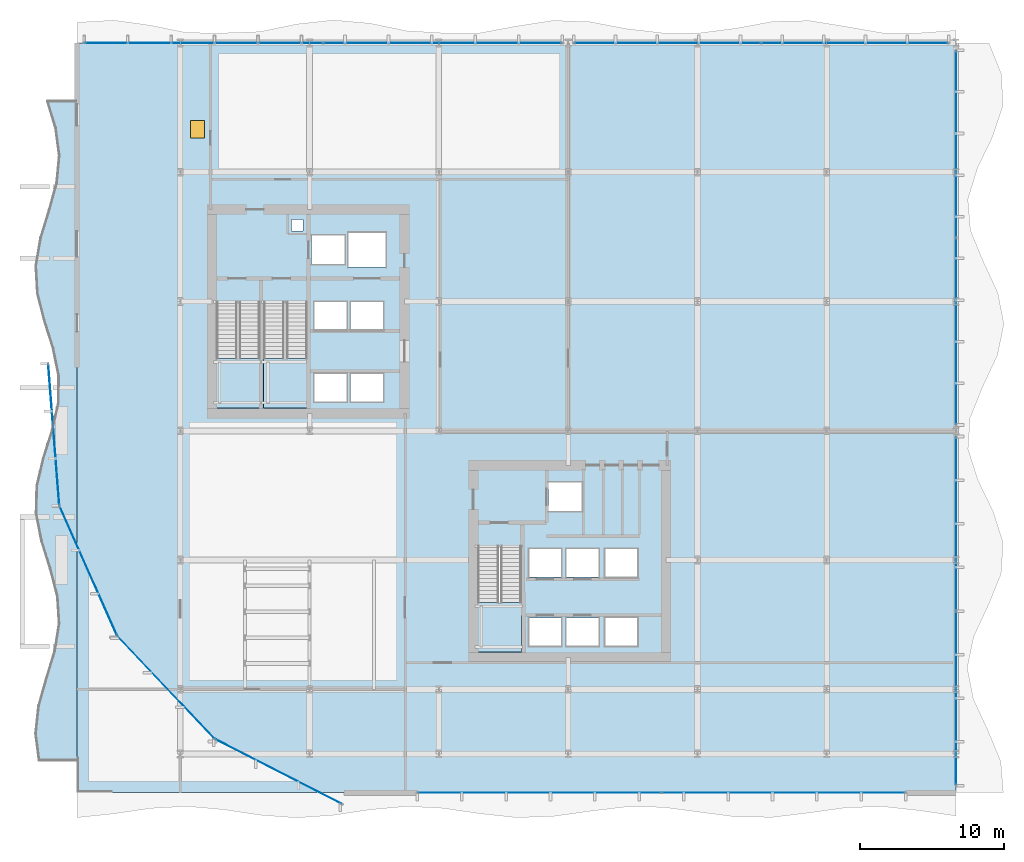
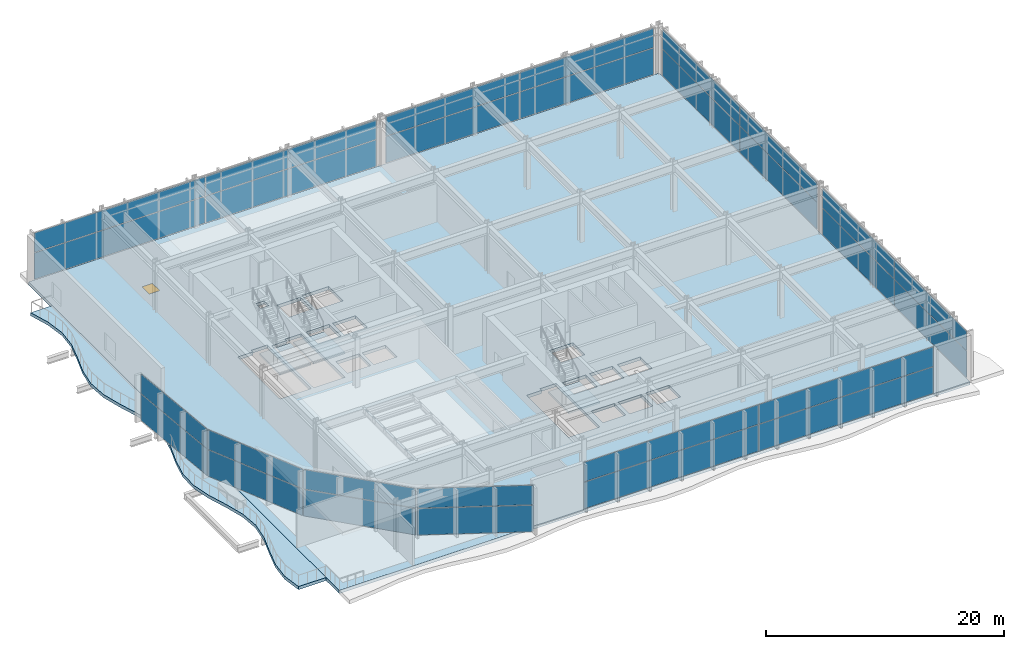
# One storey, part 21 of 33: 28 plates, 5 slabs, 1 door, 1 opening, 12 elements without a shape of their own.
"""IFC4 building model written with IfcOpenShell, lengths in metres."""

from ifc_helpers import new_model, si_unit, direction, frame, origin, origin_2d, place, context, subcontext, project, spatial, polyline, rectangle, outline, extrude, material, layer, layer_set, type_object, element, fill, aggregate, save


model = new_model("IFC4")

# Units and contexts
model_context = context("Model", 3, precision=1e-05, world=origin(), true_north=direction((0.0, 1.0)))
body_context = subcontext(model_context, "Body", "Model", "MODEL_VIEW")
ifc_project = project(units=[si_unit("LENGTHUNIT", "METRE"), si_unit("AREAUNIT", "SQUARE_METRE"), si_unit("VOLUMEUNIT", "CUBIC_METRE"), si_unit("PLANEANGLEUNIT", "RADIAN"), si_unit("MASSUNIT", "GRAM", prefix="KILO")], contexts=[model_context])

# Site, building, storey
site_placement = place(None, origin())
site = spatial("IfcSite", under=ifc_project, at=site_placement, CompositionType="ELEMENT")
building_placement = place(site_placement, origin())
building = spatial("IfcBuilding", under=site, at=building_placement, Name="Solvaryn Broadcast Tower", CompositionType="ELEMENT")
storey_placement = place(building_placement, frame((0.0, 0.0, 5.800048828125)))
storey = spatial("IfcBuildingStorey", under=building, at=storey_placement, Name="L01", CompositionType="ELEMENT", Elevation=5.800048828125)

# Curtain wall, plates
ifc_material_1 = material(Name="Aluminium and Terracotta Unitised Curtain Wall", Category="masonry")
ifc_layer_1 = layer(ifc_material_1, 0.219970703125)
ifc_layer_set_1 = layer_set([ifc_layer_1], Name="CW-SYS1-PODIUM")
curtain_wall_type = type_object("IfcCurtainWallType", Name="CW-SYS1-PODIUM", PredefinedType="NOTDEFINED", material=ifc_layer_set_1)
curtain_wall_1_placement = place(storey_placement, origin())
curtain_wall_1 = element("IfcCurtainWall", 1, at=curtain_wall_1_placement, inside=storey, type_object=curtain_wall_type, Name="L01 Podium Curtain Wall S1", PredefinedType="NOTDEFINED")
ifc_material_2 = material(Name="Low-Iron Insulated Vision Glass", Category="glass")
ifc_layer_2 = layer(ifc_material_2, 0.035888671875)
ifc_layer_set_2 = layer_set([ifc_layer_2], Name="CW-PNL-VISION")
plate_type = type_object("IfcPlateType", Name="CW-PNL-VISION", PredefinedType="CURTAIN_PANEL", material=ifc_layer_set_2)
plate_1_placement = place(storey_placement, frame((50.985107421875, 1.800048828125, 0.06005859375), z_axis=(0.0, 0.0, 1.0), x_axis=(-1.0, 0.0, 0.0)))
plate_1 = element("IfcPlate", 2, at=plate_1_placement, type_object=plate_type, Name="CWS1 panel 1.1", PredefinedType="CURTAIN_PANEL", context=body_context, shape_type="SweptSolid", body=[
    extrude(rectangle(XDim=16.909912109375, YDim=0.028076171875, at=origin_2d()), origin(), (0.0, 0.0, 1.0), 2.7099609375),
])
plate_2_placement = place(storey_placement, frame((50.985107421875, 1.800048828125, 2.830078125), z_axis=(0.0, 0.0, 1.0), x_axis=(-1.0, 0.0, 0.0)))
plate_2 = element("IfcPlate", 3, at=plate_2_placement, type_object=plate_type, Name="CWS1 panel 1.2", PredefinedType="CURTAIN_PANEL", context=body_context, shape_type="SweptSolid", body=[
    extrude(rectangle(XDim=16.909912109375, YDim=0.028076171875, at=origin_2d()), origin(), (0.0, 0.0, 1.0), 1.989990234375),
])
plate_3_placement = place(storey_placement, frame((34.014892578125, 1.800048828125, 0.06005859375), z_axis=(0.0, 0.0, 1.0), x_axis=(-1.0, 0.0, 0.0)))
plate_3 = element("IfcPlate", 4, at=plate_3_placement, type_object=plate_type, Name="CWS1 panel 2.1", PredefinedType="CURTAIN_PANEL", context=body_context, shape_type="SweptSolid", body=[
    extrude(rectangle(XDim=16.909912109375, YDim=0.028076171875, at=origin_2d()), origin(), (0.0, 0.0, 1.0), 2.7099609375),
])
plate_4_placement = place(storey_placement, frame((34.014892578125, 1.800048828125, 2.830078125), z_axis=(0.0, 0.0, 1.0), x_axis=(-1.0, 0.0, 0.0)))
plate_4 = element("IfcPlate", 5, at=plate_4_placement, type_object=plate_type, Name="CWS1 panel 2.2", PredefinedType="CURTAIN_PANEL", context=body_context, shape_type="SweptSolid", body=[
    extrude(rectangle(XDim=16.909912109375, YDim=0.028076171875, at=origin_2d()), origin(), (0.0, 0.0, 1.0), 1.989990234375),
])
aggregate(curtain_wall_1, [plate_1, plate_2, plate_3, plate_4])

curtain_wall_2_placement = place(storey_placement, origin())
curtain_wall_2 = element("IfcCurtainWall", 6, at=curtain_wall_2_placement, inside=storey, type_object=curtain_wall_type, Name="L01 Podium Curtain Wall N1", PredefinedType="NOTDEFINED")
plate_5_placement = place(storey_placement, frame((10.639892578125, 54.0, 0.06005859375), z_axis=(0.0, 0.0, 1.0), x_axis=(1.0, 0.0, 0.0)))
plate_5 = element("IfcPlate", 7, at=plate_5_placement, type_object=plate_type, Name="CWS1 panel 1.1", PredefinedType="CURTAIN_PANEL", context=body_context, shape_type="SweptSolid", body=[
    extrude(rectangle(XDim=16.56005859375, YDim=0.028076171875, at=origin_2d()), origin(), (0.0, 0.0, 1.0), 2.7099609375),
])
plate_6_placement = place(storey_placement, frame((10.639892578125, 54.0, 2.830078125), z_axis=(0.0, 0.0, 1.0), x_axis=(1.0, 0.0, 0.0)))
plate_6 = element("IfcPlate", 8, at=plate_6_placement, type_object=plate_type, Name="CWS1 panel 1.2", PredefinedType="CURTAIN_PANEL", context=body_context, shape_type="SweptSolid", body=[
    extrude(rectangle(XDim=16.56005859375, YDim=0.028076171875, at=origin_2d()), origin(), (0.0, 0.0, 1.0), 1.989990234375),
])
plate_7_placement = place(storey_placement, frame((27.260009765625, 54.0, 0.06005859375), z_axis=(0.0, 0.0, 1.0), x_axis=(1.0, 0.0, 0.0)))
plate_7 = element("IfcPlate", 9, at=plate_7_placement, type_object=plate_type, Name="CWS1 panel 2.1", PredefinedType="CURTAIN_PANEL", context=body_context, shape_type="SweptSolid", body=[
    extrude(rectangle(XDim=16.56005859375, YDim=0.028076171875, at=origin_2d()), origin(), (0.0, 0.0, 1.0), 2.7099609375),
])
plate_8_placement = place(storey_placement, frame((27.260009765625, 54.0, 2.830078125), z_axis=(0.0, 0.0, 1.0), x_axis=(1.0, 0.0, 0.0)))
plate_8 = element("IfcPlate", 10, at=plate_8_placement, type_object=plate_type, Name="CWS1 panel 2.2", PredefinedType="CURTAIN_PANEL", context=body_context, shape_type="SweptSolid", body=[
    extrude(rectangle(XDim=16.56005859375, YDim=0.028076171875, at=origin_2d()), origin(), (0.0, 0.0, 1.0), 1.989990234375),
])
aggregate(curtain_wall_2, [plate_5, plate_6, plate_7, plate_8])

curtain_wall_3_placement = place(storey_placement, origin())
curtain_wall_3 = element("IfcCurtainWall", 11, at=curtain_wall_3_placement, inside=storey, type_object=curtain_wall_type, Name="L01 Podium Curtain Wall N2", PredefinedType="NOTDEFINED")
plate_9_placement = place(storey_placement, frame((42.93994140625, 54.0, 0.06005859375), z_axis=(0.0, 0.0, 1.0), x_axis=(1.0, 0.0, 0.0)))
plate_9 = element("IfcPlate", 12, at=plate_9_placement, type_object=plate_type, Name="CWS1 panel 1.1", PredefinedType="CURTAIN_PANEL", context=body_context, shape_type="SweptSolid", body=[
    extrude(rectangle(XDim=12.9599609375, YDim=0.028076171875, at=origin_2d()), origin(), (0.0, 0.0, 1.0), 2.7099609375),
])
plate_10_placement = place(storey_placement, frame((42.93994140625, 54.0, 2.830078125), z_axis=(0.0, 0.0, 1.0), x_axis=(1.0, 0.0, 0.0)))
plate_10 = element("IfcPlate", 13, at=plate_10_placement, type_object=plate_type, Name="CWS1 panel 1.2", PredefinedType="CURTAIN_PANEL", context=body_context, shape_type="SweptSolid", body=[
    extrude(rectangle(XDim=12.9599609375, YDim=0.028076171875, at=origin_2d()), origin(), (0.0, 0.0, 1.0), 1.989990234375),
])
plate_11_placement = place(storey_placement, frame((55.9599609375, 54.0, 0.06005859375), z_axis=(0.0, 0.0, 1.0), x_axis=(1.0, 0.0, 0.0)))
plate_11 = element("IfcPlate", 14, at=plate_11_placement, type_object=plate_type, Name="CWS1 panel 2.1", PredefinedType="CURTAIN_PANEL", context=body_context, shape_type="SweptSolid", body=[
    extrude(rectangle(XDim=12.9599609375, YDim=0.028076171875, at=origin_2d()), origin(), (0.0, 0.0, 1.0), 2.7099609375),
])
plate_12_placement = place(storey_placement, frame((55.9599609375, 54.0, 2.830078125), z_axis=(0.0, 0.0, 1.0), x_axis=(1.0, 0.0, 0.0)))
plate_12 = element("IfcPlate", 15, at=plate_12_placement, type_object=plate_type, Name="CWS1 panel 2.2", PredefinedType="CURTAIN_PANEL", context=body_context, shape_type="SweptSolid", body=[
    extrude(rectangle(XDim=12.9599609375, YDim=0.028076171875, at=origin_2d()), origin(), (0.0, 0.0, 1.0), 1.989990234375),
])
aggregate(curtain_wall_3, [plate_9, plate_10, plate_11, plate_12])

curtain_wall_4_placement = place(storey_placement, origin())
curtain_wall_4 = element("IfcCurtainWall", 16, at=curtain_wall_4_placement, inside=storey, type_object=curtain_wall_type, Name="L01 Podium Curtain Wall E1", PredefinedType="NOTDEFINED")
plate_13_placement = place(storey_placement, frame((63.0, 46.9599609375, 0.06005859375), z_axis=(0.0, 0.0, 1.0), x_axis=(0.0, -1.0, 0.0)))
plate_13 = element("IfcPlate", 17, at=plate_13_placement, type_object=plate_type, Name="CWS1 panel 1.1", PredefinedType="CURTAIN_PANEL", context=body_context, shape_type="SweptSolid", body=[
    extrude(rectangle(XDim=12.9599609375, YDim=0.028076171875, at=origin_2d()), origin(), (0.0, 0.0, 1.0), 2.7099609375),
])
plate_14_placement = place(storey_placement, frame((63.0, 46.9599609375, 2.830078125), z_axis=(0.0, 0.0, 1.0), x_axis=(0.0, -1.0, 0.0)))
plate_14 = element("IfcPlate", 18, at=plate_14_placement, type_object=plate_type, Name="CWS1 panel 1.2", PredefinedType="CURTAIN_PANEL", context=body_context, shape_type="SweptSolid", body=[
    extrude(rectangle(XDim=12.9599609375, YDim=0.028076171875, at=origin_2d()), origin(), (0.0, 0.0, 1.0), 1.989990234375),
])
plate_15_placement = place(storey_placement, frame((63.0, 33.93994140625, 0.06005859375), z_axis=(0.0, 0.0, 1.0), x_axis=(0.0, -1.0, 0.0)))
plate_15 = element("IfcPlate", 19, at=plate_15_placement, type_object=plate_type, Name="CWS1 panel 2.1", PredefinedType="CURTAIN_PANEL", context=body_context, shape_type="SweptSolid", body=[
    extrude(rectangle(XDim=12.9599609375, YDim=0.028076171875, at=origin_2d()), origin(), (0.0, 0.0, 1.0), 2.7099609375),
])
plate_16_placement = place(storey_placement, frame((63.0, 33.93994140625, 2.830078125), z_axis=(0.0, 0.0, 1.0), x_axis=(0.0, -1.0, 0.0)))
plate_16 = element("IfcPlate", 20, at=plate_16_placement, type_object=plate_type, Name="CWS1 panel 2.2", PredefinedType="CURTAIN_PANEL", context=body_context, shape_type="SweptSolid", body=[
    extrude(rectangle(XDim=12.9599609375, YDim=0.028076171875, at=origin_2d()), origin(), (0.0, 0.0, 1.0), 1.989990234375),
])
aggregate(curtain_wall_4, [plate_13, plate_14, plate_15, plate_16])

curtain_wall_5_placement = place(storey_placement, origin())
curtain_wall_5 = element("IfcCurtainWall", 21, at=curtain_wall_5_placement, inside=storey, type_object=curtain_wall_type, Name="L01 Podium Curtain Wall E2", PredefinedType="NOTDEFINED")
plate_17_placement = place(storey_placement, frame((63.0, 20.510009765625, 0.06005859375), z_axis=(0.0, 0.0, 1.0), x_axis=(0.0, -1.0, 0.0)))
plate_17 = element("IfcPlate", 22, at=plate_17_placement, type_object=plate_type, Name="CWS1 panel 1.1", PredefinedType="CURTAIN_PANEL", context=body_context, shape_type="SweptSolid", body=[
    extrude(rectangle(XDim=12.06005859375, YDim=0.028076171875, at=origin_2d()), origin(), (0.0, 0.0, 1.0), 2.7099609375),
])
plate_18_placement = place(storey_placement, frame((63.0, 20.510009765625, 2.830078125), z_axis=(0.0, 0.0, 1.0), x_axis=(0.0, -1.0, 0.0)))
plate_18 = element("IfcPlate", 23, at=plate_18_placement, type_object=plate_type, Name="CWS1 panel 1.2", PredefinedType="CURTAIN_PANEL", context=body_context, shape_type="SweptSolid", body=[
    extrude(rectangle(XDim=12.06005859375, YDim=0.028076171875, at=origin_2d()), origin(), (0.0, 0.0, 1.0), 1.989990234375),
])
plate_19_placement = place(storey_placement, frame((63.0, 8.389892578125, 0.06005859375), z_axis=(0.0, 0.0, 1.0), x_axis=(0.0, -1.0, 0.0)))
plate_19 = element("IfcPlate", 24, at=plate_19_placement, type_object=plate_type, Name="CWS1 panel 2.1", PredefinedType="CURTAIN_PANEL", context=body_context, shape_type="SweptSolid", body=[
    extrude(rectangle(XDim=12.06005859375, YDim=0.028076171875, at=origin_2d()), origin(), (0.0, 0.0, 1.0), 2.7099609375),
])
plate_20_placement = place(storey_placement, frame((63.0, 8.389892578125, 2.830078125), z_axis=(0.0, 0.0, 1.0), x_axis=(0.0, -1.0, 0.0)))
plate_20 = element("IfcPlate", 25, at=plate_20_placement, type_object=plate_type, Name="CWS1 panel 2.2", PredefinedType="CURTAIN_PANEL", context=body_context, shape_type="SweptSolid", body=[
    extrude(rectangle(XDim=12.06005859375, YDim=0.028076171875, at=origin_2d()), origin(), (0.0, 0.0, 1.0), 1.989990234375),
])
aggregate(curtain_wall_5, [plate_17, plate_18, plate_19, plate_20])

curtain_wall_6_placement = place(storey_placement, origin())
curtain_wall_6 = element("IfcCurtainWall", 26, at=curtain_wall_6_placement, inside=storey, type_object=curtain_wall_type, Name="L01 Podium Curtain Wall DC1", PredefinedType="NOTDEFINED")
plate_21_placement = place(storey_placement, frame((0.19091796875, 26.739990234375, 0.06005859375), z_axis=(0.0, 0.0, 1.0), x_axis=(0.078238401114, -0.996934678197, 0.0)))
plate_21 = element("IfcPlate", 27, at=plate_21_placement, type_object=plate_type, Name="CWS1 panel 1.1", PredefinedType="CURTAIN_PANEL", context=body_context, shape_type="SweptSolid", body=[
    extrude(rectangle(XDim=9.79833984375, YDim=0.028076171875, at=origin_2d()), origin(), (0.0, 0.0, 1.0), 2.7099609375),
])
plate_22_placement = place(storey_placement, frame((0.19091796875, 26.739990234375, 2.830078125), z_axis=(0.0, 0.0, 1.0), x_axis=(0.078238401114, -0.996934678197, 0.0)))
plate_22 = element("IfcPlate", 28, at=plate_22_placement, type_object=plate_type, Name="CWS1 panel 1.2", PredefinedType="CURTAIN_PANEL", context=body_context, shape_type="SweptSolid", body=[
    extrude(rectangle(XDim=9.79833984375, YDim=0.028076171875, at=origin_2d()), origin(), (0.0, 0.0, 1.0), 1.989990234375),
])
aggregate(curtain_wall_6, [plate_21, plate_22])

curtain_wall_7_placement = place(storey_placement, origin())
curtain_wall_7 = element("IfcCurtainWall", 29, at=curtain_wall_7_placement, inside=storey, type_object=curtain_wall_type, Name="L01 Podium Curtain Wall DC2", PredefinedType="NOTDEFINED")
plate_23_placement = place(storey_placement, frame((2.592529296875, 17.264404296875, 0.06005859375), z_axis=(0.0, 0.0, 1.0), x_axis=(0.406054263621, -0.913848967278, 0.0)))
plate_23 = element("IfcPlate", 30, at=plate_23_placement, type_object=plate_type, Name="CWS1 panel 1.1", PredefinedType="CURTAIN_PANEL", context=body_context, shape_type="SweptSolid", body=[
    extrude(rectangle(XDim=9.79736328125, YDim=0.028076171875, at=origin_2d()), origin(), (0.0, 0.0, 1.0), 2.7099609375),
])
plate_24_placement = place(storey_placement, frame((2.592529296875, 17.264404296875, 2.830078125), z_axis=(0.0, 0.0, 1.0), x_axis=(0.406054263621, -0.913848967278, 0.0)))
plate_24 = element("IfcPlate", 31, at=plate_24_placement, type_object=plate_type, Name="CWS1 panel 1.2", PredefinedType="CURTAIN_PANEL", context=body_context, shape_type="SweptSolid", body=[
    extrude(rectangle(XDim=9.79736328125, YDim=0.028076171875, at=origin_2d()), origin(), (0.0, 0.0, 1.0), 1.989990234375),
])
aggregate(curtain_wall_7, [plate_23, plate_24])

curtain_wall_8_placement = place(storey_placement, origin())
curtain_wall_8 = element("IfcCurtainWall", 32, at=curtain_wall_8_placement, inside=storey, type_object=curtain_wall_type, Name="L01 Podium Curtain Wall DC3", PredefinedType="NOTDEFINED")
plate_25_placement = place(storey_placement, frame((8.015380859375, 9.132080078125, 0.06005859375), z_axis=(0.0, 0.0, 1.0), x_axis=(0.68753487096, -0.726151362468, 0.0)))
plate_25 = element("IfcPlate", 33, at=plate_25_placement, type_object=plate_type, Name="CWS1 panel 1.1", PredefinedType="CURTAIN_PANEL", context=body_context, shape_type="SweptSolid", body=[
    extrude(rectangle(XDim=9.798095703125, YDim=0.028076171875, at=origin_2d()), origin(), (0.0, 0.0, 1.0), 2.7099609375),
])
plate_26_placement = place(storey_placement, frame((8.015380859375, 9.132080078125, 2.830078125), z_axis=(0.0, 0.0, 1.0), x_axis=(0.68753487096, -0.726151362468, 0.0)))
plate_26 = element("IfcPlate", 34, at=plate_26_placement, type_object=plate_type, Name="CWS1 panel 1.2", PredefinedType="CURTAIN_PANEL", context=body_context, shape_type="SweptSolid", body=[
    extrude(rectangle(XDim=9.798095703125, YDim=0.028076171875, at=origin_2d()), origin(), (0.0, 0.0, 1.0), 1.989990234375),
])
aggregate(curtain_wall_8, [plate_25, plate_26])

curtain_wall_9_placement = place(storey_placement, origin())
curtain_wall_9 = element("IfcCurtainWall", 35, at=curtain_wall_9_placement, inside=storey, type_object=curtain_wall_type, Name="L01 Podium Curtain Wall DC4", PredefinedType="NOTDEFINED")
plate_27_placement = place(storey_placement, frame((15.840087890625, 3.27294921875, 0.06005859375), z_axis=(0.0, 0.0, 1.0), x_axis=(0.89031661092, -0.455341994901, 0.0)))
plate_27 = element("IfcPlate", 36, at=plate_27_placement, type_object=plate_type, Name="CWS1 panel 1.1", PredefinedType="CURTAIN_PANEL", context=body_context, shape_type="SweptSolid", body=[
    extrude(rectangle(XDim=9.7978515625, YDim=0.028076171875, at=origin_2d()), origin(), (0.0, 0.0, 1.0), 2.7099609375),
])
plate_28_placement = place(storey_placement, frame((15.840087890625, 3.27294921875, 2.830078125), z_axis=(0.0, 0.0, 1.0), x_axis=(0.89031661092, -0.455341994901, 0.0)))
plate_28 = element("IfcPlate", 37, at=plate_28_placement, type_object=plate_type, Name="CWS1 panel 1.2", PredefinedType="CURTAIN_PANEL", context=body_context, shape_type="SweptSolid", body=[
    extrude(rectangle(XDim=9.7978515625, YDim=0.028076171875, at=origin_2d()), origin(), (0.0, 0.0, 1.0), 1.989990234375),
])
aggregate(curtain_wall_9, [plate_27, plate_28])

# Stair, slab
ifc_material_3 = material(Name="Concrete f'c 60 MPa", Category="concrete")
stair_type = type_object("IfcStairType", Name="ST-CORE", PredefinedType="HALF_TURN_STAIR", material=ifc_material_3)
stair_1_placement = place(storey_placement, origin())
stair_1 = element("IfcStair", 38, at=stair_1_placement, inside=storey, type_object=stair_type, Name="L01 ST1", PredefinedType="HALF_TURN_STAIR")
ifc_material_4 = material(Name="Concrete f'c 60 MPa", Category="concrete")
ifc_layer_3 = layer(ifc_material_4, 0.199951171875)
ifc_layer_set_3 = layer_set([ifc_layer_3], Name="SL-LANDING-200")
slab_type_1 = type_object("IfcSlabType", Name="SL-LANDING-200", PredefinedType="LANDING", material=ifc_layer_set_3)
slab_1_placement = place(storey_placement, frame((0.0, 0.0, 2.39990234375)))
slab_1 = element("IfcSlab", 39, at=slab_1_placement, type_object=slab_type_1, Name="ST1 landing 1", PredefinedType="LANDING", context=body_context, shape_type="SweptSolid", body=[
    extrude(outline(polyline([(11.52001953125, 32.0400390625), (11.52001953125, 28.60009765625), (14.550048828125, 28.60009765625), (14.550048828125, 32.0400390625), (11.52001953125, 32.0400390625)])), origin(), (0.0, 0.0, 1.0), 0.199951171875),
])
aggregate(stair_1, [slab_1])

stair_2_placement = place(storey_placement, origin())
stair_2 = element("IfcStair", 40, at=stair_2_placement, inside=storey, type_object=stair_type, Name="L01 ST2", PredefinedType="HALF_TURN_STAIR")
slab_2_placement = place(storey_placement, frame((0.0, 0.0, 2.39990234375)))
slab_2 = element("IfcSlab", 41, at=slab_2_placement, type_object=slab_type_1, Name="ST2 landing 1", PredefinedType="LANDING", context=body_context, shape_type="SweptSolid", body=[
    extrude(outline(polyline([(14.800048828125, 32.0400390625), (14.800048828125, 28.60009765625), (17.830078125, 28.60009765625), (17.830078125, 32.0400390625), (14.800048828125, 32.0400390625)])), origin(), (0.0, 0.0, 1.0), 0.199951171875),
])
aggregate(stair_2, [slab_2])

stair_3_placement = place(storey_placement, origin())
stair_3 = element("IfcStair", 42, at=stair_3_placement, inside=storey, type_object=stair_type, Name="L01 ST3", PredefinedType="HALF_TURN_STAIR")
slab_3_placement = place(storey_placement, frame((0.0, 0.0, 2.39990234375)))
slab_3 = element("IfcSlab", 43, at=slab_3_placement, type_object=slab_type_1, Name="ST3 landing 1", PredefinedType="LANDING", context=body_context, shape_type="SweptSolid", body=[
    extrude(outline(polyline([(29.719970703125, 15.0400390625), (29.719970703125, 11.60009765625), (32.75, 11.60009765625), (32.75, 15.0400390625), (29.719970703125, 15.0400390625)])), origin(), (0.0, 0.0, 1.0), 0.199951171875),
])
aggregate(stair_3, [slab_3])

# Slab, opening, door
ifc_material_5 = material(Name="Concrete f'c 60 MPa", Category="concrete")
ifc_layer_4 = layer(ifc_material_5, 0.320068359375)
ifc_layer_set_4 = layer_set([ifc_layer_4], Name="SL-POD-320")
slab_type_2 = type_object("IfcSlabType", Name="SL-POD-320", PredefinedType="FLOOR", material=ifc_layer_set_4)
slab_4_placement = place(storey_placement, frame((0.0, 0.0, -0.320068359375)))
slab_4 = element("IfcSlab", 44, at=slab_4_placement, inside=storey, type_object=slab_type_2, Name="L01 Structural Floor Slab", PredefinedType="FLOOR", context=body_context, shape_type="SweptSolid", body=[
    extrude(outline(polyline([(1.800048828125, 1.800048828125), (63.0, 1.800048828125), (63.0, 54.0), (1.800048828125, 54.0), (1.800048828125, 1.800048828125)]), holes=[polyline([(11.52001953125, 28.60009765625), (14.550048828125, 28.60009765625), (14.550048828125, 35.9599609375), (12.97998046875, 35.9599609375), (12.97998046875, 35.679931640625), (11.52001953125, 35.679931640625), (11.52001953125, 28.60009765625)]), polyline([(14.800048828125, 28.60009765625), (17.830078125, 28.60009765625), (17.830078125, 35.9599609375), (16.260009765625, 35.9599609375), (16.260009765625, 35.679931640625), (14.800048828125, 35.679931640625), (14.800048828125, 28.60009765625)]), polyline([(29.719970703125, 11.60009765625), (32.75, 11.60009765625), (32.75, 18.9599609375), (31.179931640625, 18.9599609375), (31.179931640625, 18.679931640625), (29.719970703125, 18.679931640625), (29.719970703125, 11.60009765625)]), polyline([(18.14990234375, 38.60009765625), (20.449951171875, 38.60009765625), (20.449951171875, 40.60009765625), (18.14990234375, 40.60009765625), (18.14990234375, 38.60009765625)]), polyline([(20.699951171875, 38.39990234375), (23.300048828125, 38.39990234375), (23.300048828125, 40.800048828125), (20.699951171875, 40.800048828125), (20.699951171875, 38.39990234375)]), polyline([(18.324951171875, 29.02490234375), (20.574951171875, 29.02490234375), (20.574951171875, 30.97509765625), (18.324951171875, 30.97509765625), (18.324951171875, 29.02490234375)]), polyline([(20.875, 29.02490234375), (23.125, 29.02490234375), (23.125, 30.97509765625), (20.875, 30.97509765625), (20.875, 29.02490234375)]), polyline([(18.324951171875, 34.02490234375), (20.574951171875, 34.02490234375), (20.574951171875, 35.97509765625), (18.324951171875, 35.97509765625), (18.324951171875, 34.02490234375)]), polyline([(20.875, 34.02490234375), (23.125, 34.02490234375), (23.125, 35.97509765625), (20.875, 35.97509765625), (20.875, 34.02490234375)]), polyline([(34.64990234375, 21.39990234375), (36.949951171875, 21.39990234375), (36.949951171875, 23.39990234375), (34.64990234375, 23.39990234375), (34.64990234375, 21.39990234375)]), polyline([(33.27490234375, 12.02490234375), (35.52490234375, 12.02490234375), (35.52490234375, 13.97509765625), (33.27490234375, 13.97509765625), (33.27490234375, 12.02490234375)]), polyline([(35.875, 12.02490234375), (38.125, 12.02490234375), (38.125, 13.97509765625), (35.875, 13.97509765625), (35.875, 12.02490234375)]), polyline([(33.27490234375, 16.824951171875), (35.52490234375, 16.824951171875), (35.52490234375, 18.77490234375), (33.27490234375, 18.77490234375), (33.27490234375, 16.824951171875)]), polyline([(35.875, 16.824951171875), (38.125, 16.824951171875), (38.125, 18.77490234375), (35.875, 18.77490234375), (35.875, 16.824951171875)]), polyline([(38.574951171875, 12.02490234375), (40.824951171875, 12.02490234375), (40.824951171875, 13.97509765625), (38.574951171875, 13.97509765625), (38.574951171875, 12.02490234375)]), polyline([(38.574951171875, 16.824951171875), (40.824951171875, 16.824951171875), (40.824951171875, 18.77490234375), (38.574951171875, 18.77490234375), (38.574951171875, 16.824951171875)]), polyline([(16.75, 40.89990234375), (17.550048828125, 40.89990234375), (17.550048828125, 41.699951171875), (16.75, 41.699951171875), (16.75, 40.89990234375)])]), origin(), (0.0, 0.0, 1.0), 0.320068359375),
])
opening_placement = place(slab_4_placement, frame((10.199951171875, 48.0, 0.0)))
opening = element("IfcOpeningElement", 45, at=opening_placement, cuts=slab_4, Name="Opening HT01", PredefinedType="OPENING", context=body_context, shape_type="SweptSolid", body=[
    extrude(rectangle(XDim=1.0, YDim=1.199951171875, at=origin_2d()), origin(), (0.0, 0.0, 1.0), 0.320068359375),
])
ifc_material_6 = material(Name="Insulated Architectural Aluminium and Glazing", Category="aluminium")
door_type = type_object("IfcDoorType", Name="ED-HATCH-1000X1200", OperationType="NOTDEFINED", PredefinedType="TRAPDOOR", material=ifc_material_6)
door_placement = place(opening_placement, frame((0.0, 0.0, 0.27001953125)))
door = element("IfcDoor", 46, at=door_placement, inside=storey, type_object=door_type, Name="L01 Acoustic Plenum Access Trapdoor", OperationType="SINGLE_SWING_LEFT", OverallHeight=1.199951171875, OverallWidth=1.0, PredefinedType="TRAPDOOR", context=body_context, shape_type="SweptSolid", body=[
    extrude(rectangle(XDim=1.0, YDim=1.199951171875, at=origin_2d()), origin(), (0.0, 0.0, 1.0), 0.050048828125),
])
fill(opening, door)

# Slab
ifc_material_7 = material(Name="Concrete f'c 60 MPa", Category="concrete")
ifc_layer_5 = layer(ifc_material_7, 0.260009765625)
ifc_layer_set_5 = layer_set([ifc_layer_5], Name="SL-TER-260")
slab_type_3 = type_object("IfcSlabType", Name="SL-TER-260", PredefinedType="FLOOR", material=ifc_layer_set_5)
slab_5_placement = place(storey_placement, frame((0.0, 0.0, -0.320068359375)))
element("IfcSlab", 47, at=slab_5_placement, inside=storey, type_object=slab_type_3, Name="L01 Wave-Edged Terrace Slab TS01W", PredefinedType="FLOOR", context=body_context, shape_type="SweptSolid", body=[
    extrude(outline(polyline([(1.800048828125, 4.0), (1.800048828125, 5.9169921875), (1.800048828125, 7.8330078125), (1.800048828125, 9.75), (1.800048828125, 11.6669921875), (1.800048828125, 13.5830078125), (1.800048828125, 15.5), (1.800048828125, 17.4169921875), (1.800048828125, 19.3330078125), (1.800048828125, 21.25), (1.800048828125, 23.1669921875), (1.800048828125, 25.0830078125), (1.800048828125, 27.0), (1.800048828125, 28.9169921875), (1.800048828125, 30.8330078125), (1.800048828125, 32.75), (1.800048828125, 34.6669921875), (1.800048828125, 36.5830078125), (1.800048828125, 38.5), (1.800048828125, 40.4169921875), (1.800048828125, 42.3330078125), (1.800048828125, 44.25), (1.800048828125, 46.1669921875), (1.800048828125, 48.0830078125), (1.800048828125, 50.0), (-0.300048828125, 50.0), (0.263916015625, 48.0830078125), (0.52294921875, 46.1669921875), (0.337890625, 44.25), (-0.19189453125, 42.3330078125), (-0.781005859375, 40.4169921875), (-1.10888671875, 38.5), (-1.0009765625, 36.5830078125), (-0.513916015625, 34.6669921875), (0.089111328125, 32.75), (0.48095703125, 30.8330078125), (0.450927734375, 28.9169921875), (0.01611328125, 27.0), (-0.591064453125, 25.0830078125), (-1.0400390625, 23.1669921875), (-1.089111328125, 21.25), (-0.712890625, 19.3330078125), (-0.113037109375, 17.4169921875), (0.385986328125, 15.5), (0.513916015625, 13.5830078125), (0.201904296875, 11.6669921875), (-0.381103515625, 9.75), (-0.919921875, 7.8330078125), (-1.125, 5.9169921875), (-0.883056640625, 4.0), (1.800048828125, 4.0)])), origin(), (0.0, 0.0, 1.0), 0.320068359375),
])

save(model, "model.ifc")
